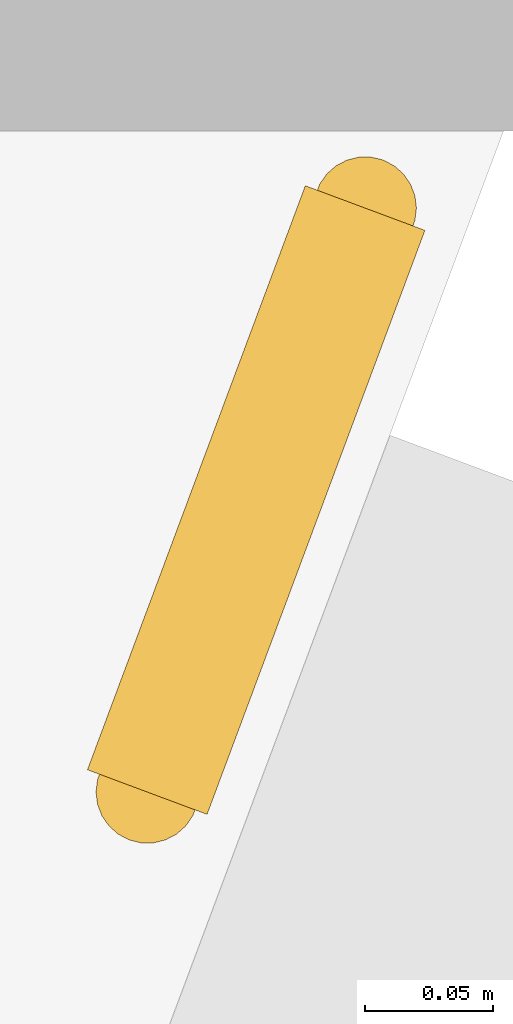
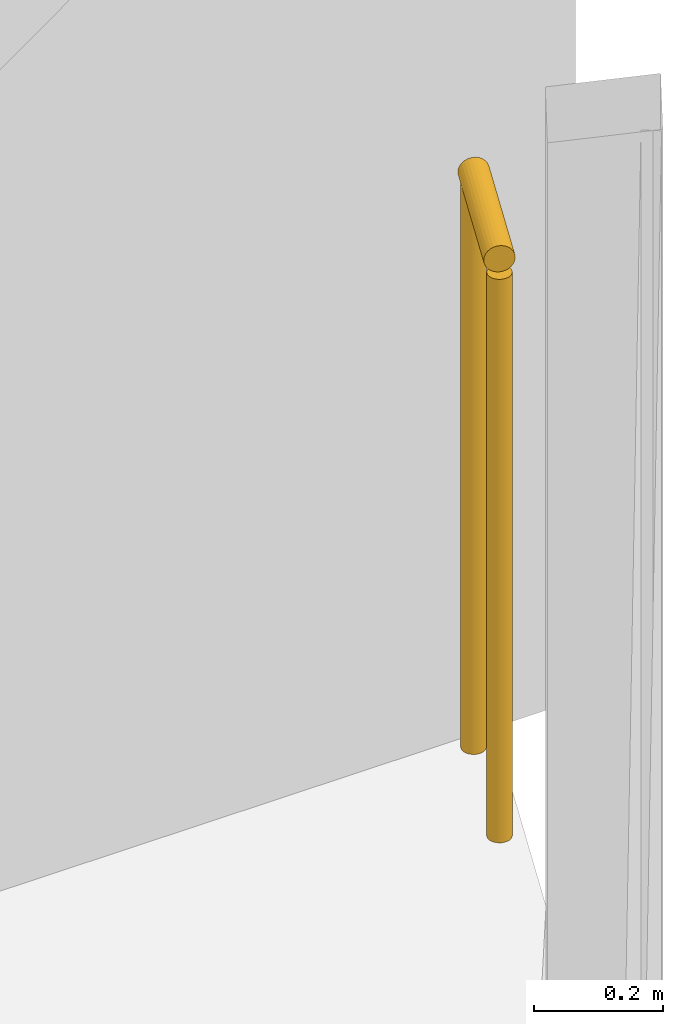
# One storey, part 30 of 31: 1 railing.
"""IFC4 building model written with IfcOpenShell, lengths in metres."""

from ifc_helpers import new_model, si_unit, direction, frame, origin, origin_2d, place, context, subcontext, project, spatial, circle, extrude, material, type_object, element, save


model = new_model("IFC4")

# Units and contexts
model_context = context("Model", 3, precision=1e-05, world=origin(), true_north=direction((0.0, 1.0)))
body_context = subcontext(model_context, "Body", "Model", "MODEL_VIEW")
ifc_project = project(units=[si_unit("LENGTHUNIT", "METRE"), si_unit("AREAUNIT", "SQUARE_METRE"), si_unit("VOLUMEUNIT", "CUBIC_METRE"), si_unit("PLANEANGLEUNIT", "RADIAN"), si_unit("MASSUNIT", "GRAM", prefix="KILO")], contexts=[model_context])

# Site, building, storey
site_placement = place(None, origin())
site = spatial("IfcSite", under=ifc_project, at=site_placement, CompositionType="ELEMENT")
building_placement = place(site_placement, origin())
building = spatial("IfcBuilding", under=site, at=building_placement, Name="Orlundy Tower", CompositionType="ELEMENT")
storey_placement = place(building_placement, frame((0.0, 0.0, 91.199951171875)))
storey = spatial("IfcBuildingStorey", under=building, at=storey_placement, Name="L22", CompositionType="ELEMENT", Elevation=91.199951171875)

# Railing
ifc_material = material(Name="Stainless steel bronze finish", Category="steel")
railing_type = type_object("IfcRailingType", Name="TG1 terrace guard", PredefinedType="GUARDRAIL", material=ifc_material)
railing_placement = place(storey_placement, frame((52.172607421875, -30.242919921875, 0.0)))
element("IfcRailing", 1, at=railing_placement, inside=storey, type_object=railing_type, Name="Guard TG-L22-E00", PredefinedType="GUARDRAIL", context=body_context, shape_type="SweptSolid", body=[
    extrude(circle(Radius=0.02490234375, at=origin_2d()), frame((0.0, 0.0, 1.09521484375), z_axis=(-0.34947210653, -0.936946768369, 0.0), x_axis=(0.936946768369, -0.34947210653, 0.0)), (0.0, 0.0, 1.0), 0.2431640625),
    extrude(circle(Radius=0.02001953125, at=origin_2d()), origin(), (0.0, 0.0, 1.0), 1.070068359375),
    extrude(circle(Radius=0.02001953125, at=origin_2d()), frame((-0.0849609375, -0.227783203125, 0.0)), (0.0, 0.0, 1.0), 1.070068359375),
])

save(model, "model.ifc")
